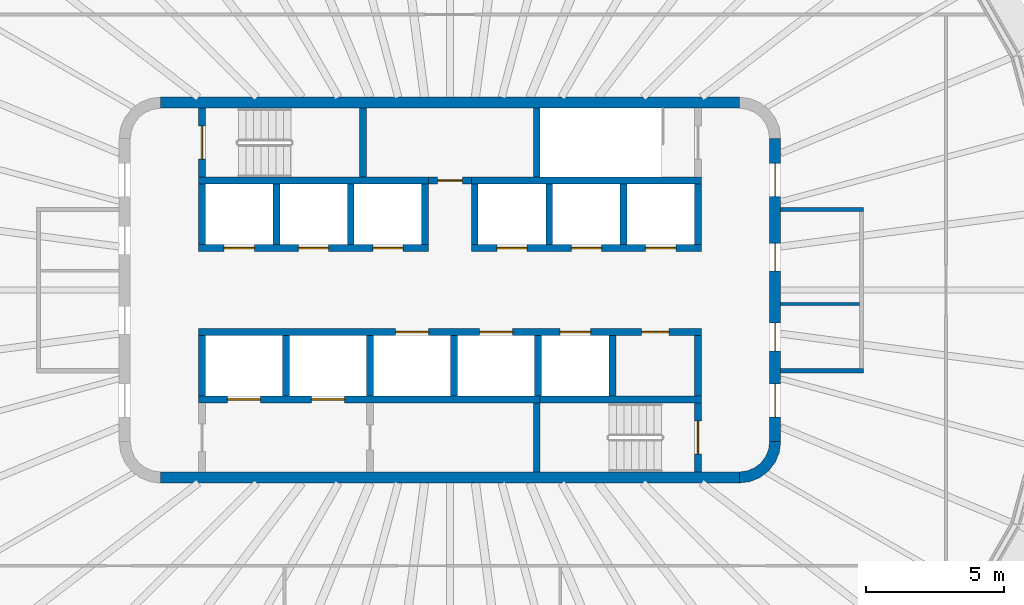
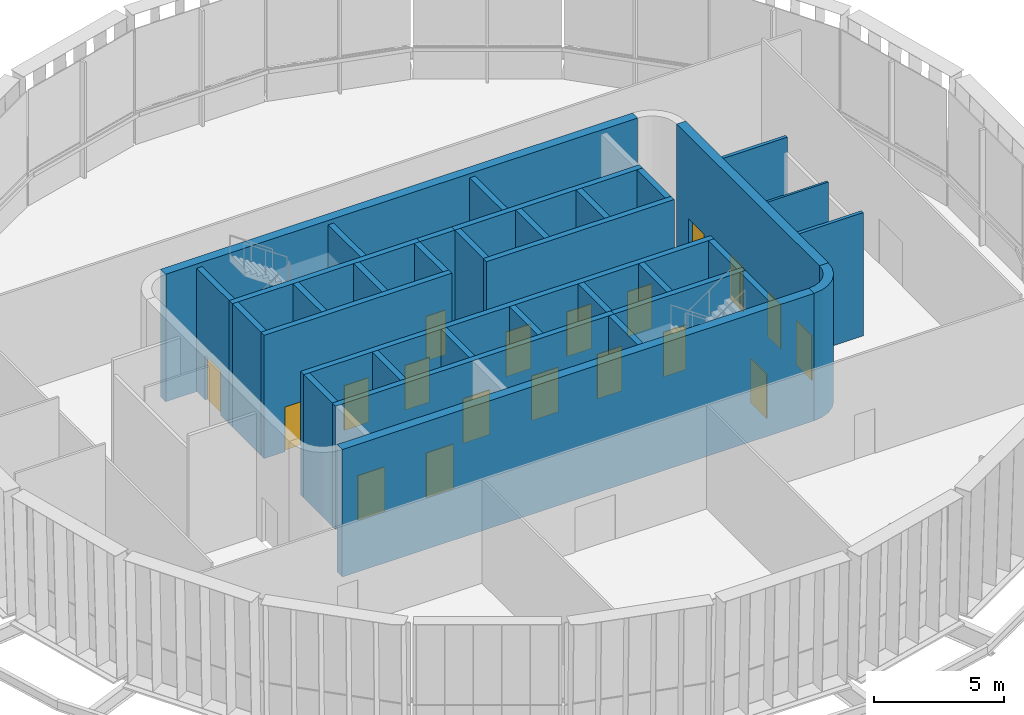
# One storey, part 7 of 14: 35 walls, 19 doors, 19 openings.
"""IFC4 building model written with IfcOpenShell, lengths in metres."""

import ifcopenshell
import ifcopenshell.guid

model = None  # the IFC model being written
_history = None  # IfcOwnerHistory: only IFC2X3 demands one
_inside = {}  # id of a spatial element -> (the spatial element, [elements in it])
_under = {}  # id of a project, library or spatial element -> (it, [spatial elements below it])
_declared = {}  # id of a project -> (the project, [libraries it declares])
_typed = {}  # id of a type object -> (the type object, [elements of that type])
_made_of = {}  # id of a material, layer set ... -> (it, [elements and type objects made of it])


def new_model(schema):
    """Start an empty IFC model of exactly this schema.

    Asked for "IFC4X3", IfcOpenShell would pick the latest addendum, in which some entities
    have other attributes; the version numbers below select the first issue.
    IFC2X3 requires an IfcOwnerHistory on every rooted entity: one is made here for all.
    """
    global model, _history
    if schema == "IFC4X3":
        model = ifcopenshell.file(schema_version=(4, 3, 0, 0))
    else:
        model = ifcopenshell.file(schema=schema)
    _inside.clear()
    _under.clear()
    _declared.clear()
    _typed.clear()
    _made_of.clear()
    _history = None
    if model.schema == "IFC2X3":
        org = make("IfcOrganization", Name="unknown")
        user = make(
            "IfcPersonAndOrganization",
            ThePerson=make("IfcPerson", FamilyName="unknown"),
            TheOrganization=org,
        )
        app = make(
            "IfcApplication",
            ApplicationDeveloper=org,
            Version="unknown",
            ApplicationFullName="unknown",
            ApplicationIdentifier="unknown",
        )
        _history = make(
            "IfcOwnerHistory",
            OwningUser=user,
            OwningApplication=app,
            ChangeAction="ADDED",
            CreationDate=0,
        )
    return model


def make(cls, **values):
    """One entity of the class cls with the attributes given. An attribute that is None is left unset."""
    return model.create_entity(
        cls, **{name: value for name, value in values.items() if value is not None}
    )


def rooted(cls, **values):
    """An entity with a GlobalId (a new one), such as an element, a storey or a relation."""
    return make(cls, GlobalId=ifcopenshell.guid.new(), OwnerHistory=_history, **values)


def si_unit(unit_type, name, prefix=None):
    """IfcSIUnit, for example si_unit("LENGTHUNIT", "METRE", prefix="MILLI")."""
    return make("IfcSIUnit", UnitType=unit_type, Prefix=prefix, Name=name)


def assignment(units):
    """IfcUnitAssignment: the units of a project."""
    return None if units is None else make("IfcUnitAssignment", Units=units)


def point(xyz):
    """IfcCartesianPoint."""
    return None if xyz is None else make("IfcCartesianPoint", Coordinates=xyz)


def direction(xyz):
    """IfcDirection."""
    return None if xyz is None else make("IfcDirection", DirectionRatios=xyz)


def frame(location, z_axis=None, x_axis=None):
    """IfcAxis2Placement3D, a coordinate frame: its origin and axes. An axis left out is left unset."""
    return make(
        "IfcAxis2Placement3D",
        Location=point(location),
        Axis=direction(z_axis),
        RefDirection=direction(x_axis),
    )


def frame_2d(location, x_axis=None):
    """IfcAxis2Placement2D, a coordinate frame in the plane: its origin and x axis."""
    return make(
        "IfcAxis2Placement2D", Location=point(location), RefDirection=direction(x_axis)
    )


def origin():
    """The frame at (0, 0, 0) with its axes left unset."""
    return frame((0.0, 0.0, 0.0))


def place(relative_to, where):
    """IfcLocalPlacement: puts the frame where relative to a parent placement (None: the world)."""
    return make(
        "IfcLocalPlacement", PlacementRelTo=relative_to, RelativePlacement=where
    )


def context(
    kind, dimensions, precision=None, world=None, true_north=None, identifier=None
):
    """IfcGeometricRepresentationContext, for example the 3D "Model" context."""
    return make(
        "IfcGeometricRepresentationContext",
        ContextIdentifier=identifier,
        ContextType=kind,
        CoordinateSpaceDimension=dimensions,
        Precision=precision,
        WorldCoordinateSystem=world,
        TrueNorth=true_north,
    )


def subcontext(parent, identifier, kind, view, scale=None):
    """IfcGeometricRepresentationSubContext, for example "Body" below "Model"."""
    return make(
        "IfcGeometricRepresentationSubContext",
        ContextIdentifier=identifier,
        ContextType=kind,
        ParentContext=parent,
        TargetScale=scale,
        TargetView=view,
    )


def project(units=None, contexts=None):
    """IfcProject with its units and contexts."""
    return rooted(
        "IfcProject",
        Name="project",
        RepresentationContexts=contexts,
        UnitsInContext=assignment(units),
    )


def spatial(cls, under=None, at=None, **own):
    """A site, building, storey or space (cls), placed at a placement, below another one or the project."""
    s = rooted(cls, ObjectPlacement=at, **own)
    if under is not None:
        _under.setdefault(under.id(), (under, []))[1].append(s)
    return s


def polyline(points):
    """IfcPolyline through the points."""
    return make("IfcPolyline", Points=[point(p) for p in points])


def profile(cls, at=None, kind="AREA", **sizes):
    """A parametric profile (cls). Its sizes go by their IFC names, for example OverallWidth=200.0."""
    return make(cls, ProfileType=kind, Position=at, **sizes)


def rectangle(**sizes):
    """IfcRectangleProfileDef."""
    return profile("IfcRectangleProfileDef", **sizes)


def outline(outer, holes=None, kind="AREA"):
    """IfcArbitraryClosedProfileDef: a profile drawn as a closed curve; with holes, ...WithVoids."""
    if holes is None:
        return make("IfcArbitraryClosedProfileDef", ProfileType=kind, OuterCurve=outer)
    return make(
        "IfcArbitraryProfileDefWithVoids",
        ProfileType=kind,
        OuterCurve=outer,
        InnerCurves=holes,
    )


def extrude(swept, where, along, depth):
    """IfcExtrudedAreaSolid: the profile swept, set in the frame where, extruded along a direction by depth."""
    return make(
        "IfcExtrudedAreaSolid",
        SweptArea=swept,
        Position=where,
        ExtrudedDirection=direction(along),
        Depth=depth,
    )


def shape(context_of_items, identifier, shape_type, items):
    """IfcShapeRepresentation: the items that make up one representation, for example the "Body"."""
    return make(
        "IfcShapeRepresentation",
        ContextOfItems=context_of_items,
        RepresentationIdentifier=identifier,
        RepresentationType=shape_type,
        Items=items,
    )


def material(Name=None, Category=None):
    """IfcMaterial."""
    return make("IfcMaterial", Name=Name, Category=Category)


def layer(
    of_material, thickness, ventilated=None, Name=None, Category=None, Priority=None
):
    """IfcMaterialLayer: one layer of a wall or slab, of a material (None: an air gap)."""
    return make(
        "IfcMaterialLayer",
        Material=of_material,
        LayerThickness=thickness,
        IsVentilated=ventilated,
        Name=Name,
        Category=Category,
        Priority=Priority,
    )


def layer_set(layers, Name=None):
    """IfcMaterialLayerSet."""
    return make("IfcMaterialLayerSet", MaterialLayers=layers, LayerSetName=Name)


def made_of(thing, what):
    """Note that an element or type object is made of a material, layer set ...; save() writes the relation."""
    if what is not None:
        _made_of.setdefault(what.id(), (what, []))[1].append(thing)
    return thing


def type_object(cls, material=None, **own):
    """A type object (cls), such as IfcWallType, which elements share."""
    return made_of(rooted(cls, **own), material)


def element(
    cls,
    number,
    at=None,
    inside=None,
    cuts=None,
    type_object=None,
    material=None,
    context=None,
    identifier="Body",
    shape_type=None,
    held_by="IfcProductDefinitionShape",
    body=None,
    shapes=None,
    **own,
):
    """One element of the class cls, such as IfcWall. Its Tag is "e" and its number.

    at: its placement. inside: the storey or other place that contains it. cuts: it is an
    opening in that element (IfcRelVoidsElement). A single representation is given by context,
    identifier, shape_type and body (its items); several are given by shapes. held_by: the class
    of the entity that holds the representations. save() writes the other relations.
    """
    e = rooted(cls, Tag="e%d" % number, ObjectPlacement=at, **own)
    if body is not None:
        shapes = [shape(context, identifier, shape_type, body)]
    if shapes is not None:
        e.Representation = make(held_by, Representations=shapes)
    if inside is not None:
        _inside.setdefault(inside.id(), (inside, []))[1].append(e)
    if cuts is not None:
        rooted(
            "IfcRelVoidsElement", RelatingBuildingElement=cuts, RelatedOpeningElement=e
        )
    if type_object is not None:
        _typed.setdefault(type_object.id(), (type_object, []))[1].append(e)
    return made_of(e, material)


def fill(opening, filler):
    """IfcRelFillsElement: the door or window that sits in an opening."""
    return rooted(
        "IfcRelFillsElement",
        RelatingOpeningElement=opening,
        RelatedBuildingElement=filler,
    )


def aggregate(whole, parts):
    """IfcRelAggregates: a whole, such as a stair, and the parts it consists of."""
    return rooted("IfcRelAggregates", RelatingObject=whole, RelatedObjects=parts)


def save(model, path):
    """Write the relations noted so far, then the file.

    IfcRelAggregates (storeys below a building ...), IfcRelContainedInSpatialStructure (elements
    in a storey), IfcRelDefinesByType, IfcRelAssociatesMaterial and IfcRelDeclares: one each for
    every whole, place, type object, material and project.
    """
    for whole, parts in _under.values():
        aggregate(whole, parts)
    for where, things in _inside.values():
        rooted(
            "IfcRelContainedInSpatialStructure",
            RelatedElements=things,
            RelatingStructure=where,
        )
    for kind, things in _typed.values():
        rooted("IfcRelDefinesByType", RelatedObjects=things, RelatingType=kind)
    for what, things in _made_of.values():
        rooted("IfcRelAssociatesMaterial", RelatedObjects=things, RelatingMaterial=what)
    for by, libraries in _declared.values():
        rooted("IfcRelDeclares", RelatingContext=by, RelatedDefinitions=libraries)
    model.write(path)


model = new_model("IFC4")

# Units and contexts
model_context = context("Model", 3, precision=1e-05, world=origin(), true_north=direction((0.0, 1.0)))
body_context = subcontext(model_context, "Body", "Model", "MODEL_VIEW")
ifc_project = project(units=[si_unit("LENGTHUNIT", "METRE"), si_unit("AREAUNIT", "SQUARE_METRE"), si_unit("VOLUMEUNIT", "CUBIC_METRE"), si_unit("PLANEANGLEUNIT", "RADIAN"), si_unit("MASSUNIT", "GRAM", prefix="KILO")], contexts=[model_context])

# Site, building, storey
site_placement = place(None, origin())
site = spatial("IfcSite", under=ifc_project, at=site_placement, CompositionType="ELEMENT")
building_placement = place(site_placement, origin())
building = spatial("IfcBuilding", under=site, at=building_placement, Name="Sahrelin Media Tower", CompositionType="ELEMENT")
storey_placement = place(building_placement, frame((0.0, 0.0, 329.800048828125)))
storey = spatial("IfcBuildingStorey", under=building, at=storey_placement, Name="L73", CompositionType="ELEMENT", Elevation=329.800048828125)

# Walls
ifc_material_1 = material(Name="Concrete C60/75", Category="concrete")
ifc_layer_1 = layer(ifc_material_1, 0.39990234375)
ifc_layer_set_1 = layer_set([ifc_layer_1], Name="Core wall 400")
wall_type_1 = type_object("IfcWallType", Name="Core wall 400", PredefinedType="SHEAR", material=ifc_layer_set_1)
for number, where, z_axis, x_axis, name in (
    (1, (-10.5, 6.800048828125, 0.0), (0.0, 0.0, 1.0), (1.0, 0.0, 0.0), "Core wall N L73"),
    (2, (-10.5, -6.800048828125, 0.0), (0.0, 0.0, 1.0), (1.0, 0.0, 0.0), "Core wall S L73"),
):
    element("IfcWall", number, at=place(storey_placement, frame(where, z_axis=z_axis, x_axis=x_axis)), inside=storey, type_object=wall_type_1, Name=name, PredefinedType="SHEAR", context=body_context, shape_type="SweptSolid", body=[
        extrude(rectangle(XDim=21.0, YDim=0.39990234375, at=frame_2d((10.5, 0.0))), origin(), (0.0, 0.0, 1.0), 6.0),
    ])

# Wall, openings, doors
wall_1_placement = place(storey_placement, frame((11.800048828125, -5.5, 0.0), z_axis=(0.0, 0.0, 1.0), x_axis=(0.0, 1.0, 0.0)))
wall_1 = element("IfcWall", 3, at=wall_1_placement, inside=storey, type_object=wall_type_1, Name="Core wall E L73", PredefinedType="SHEAR", context=body_context, shape_type="SweptSolid", body=[
    extrude(rectangle(XDim=11.0, YDim=0.39990234375, at=frame_2d((5.5, 0.0))), origin(), (0.0, 0.0, 1.0), 6.0),
])
opening_1_placement = place(wall_1_placement, frame((3.300048828125, 0.0, 0.0)))
opening_1 = element("IfcOpeningElement", 4, at=opening_1_placement, cuts=wall_1, Name="Opening L73-D10", PredefinedType="OPENING", context=body_context, shape_type="SweptSolid", body=[
    extrude(rectangle(XDim=1.0, YDim=2.10009765625, at=frame_2d((0.5, 1.050048828125))), frame((0.0, 0.199951171875, 0.0), z_axis=(0.0, -1.0, 0.0), x_axis=(1.0, 0.0, 0.0)), (0.0, 0.0, 1.0), 0.39990234375),
])
opening_2_placement = place(wall_1_placement, frame((6.199951171875, 0.0, 0.0)))
opening_2 = element("IfcOpeningElement", 5, at=opening_2_placement, cuts=wall_1, Name="Opening L73-D11", PredefinedType="OPENING", context=body_context, shape_type="SweptSolid", body=[
    extrude(rectangle(XDim=1.0, YDim=2.10009765625, at=frame_2d((0.5, 1.050048828125))), frame((0.0, 0.199951171875, 0.0), z_axis=(0.0, -1.0, 0.0), x_axis=(1.0, 0.0, 0.0)), (0.0, 0.0, 1.0), 0.39990234375),
])
opening_3_placement = place(wall_1_placement, frame((0.89990234375, 0.0, 0.0)))
opening_3 = element("IfcOpeningElement", 6, at=opening_3_placement, cuts=wall_1, Name="Opening L73-D14", PredefinedType="OPENING", context=body_context, shape_type="SweptSolid", body=[
    extrude(rectangle(XDim=1.199951171875, YDim=2.10009765625, at=frame_2d((0.60009765625, 1.050048828125))), frame((0.0, 0.199951171875, 0.0), z_axis=(0.0, -1.0, 0.0), x_axis=(1.0, 0.0, 0.0)), (0.0, 0.0, 1.0), 0.39990234375),
])
opening_4_placement = place(wall_1_placement, frame((8.89990234375, 0.0, 0.0)))
opening_4 = element("IfcOpeningElement", 7, at=opening_4_placement, cuts=wall_1, Name="Opening L73-D15", PredefinedType="OPENING", context=body_context, shape_type="SweptSolid", body=[
    extrude(rectangle(XDim=1.199951171875, YDim=2.10009765625, at=frame_2d((0.60009765625, 1.050048828125))), frame((0.0, 0.199951171875, 0.0), z_axis=(0.0, -1.0, 0.0), x_axis=(1.0, 0.0, 0.0)), (0.0, 0.0, 1.0), 0.39990234375),
])
ifc_material_2 = material(Name="Steel fire door leaf", Category="steel")
door_type_1 = type_object("IfcDoorType", Name="Fire door 1000 x 2100 EI 60", OperationType="NOTDEFINED", PredefinedType="DOOR", material=ifc_material_2)
door_1_placement = place(opening_1_placement, origin())
door_1 = element("IfcDoor", 8, at=door_1_placement, inside=storey, type_object=door_type_1, Name="Core room door", OperationType="SINGLE_SWING_RIGHT", OverallHeight=2.10009765625, OverallWidth=1.0, PredefinedType="DOOR", context=body_context, shape_type="SweptSolid", body=[
    extrude(rectangle(XDim=1.0, YDim=2.10009765625, at=frame_2d((0.5, 1.050048828125))), frame((0.0, 0.02490234375, 0.0), z_axis=(0.0, -1.0, 0.0), x_axis=(1.0, 0.0, 0.0)), (0.0, 0.0, 1.0), 0.050048828125),
])
fill(opening_1, door_1)
door_2_placement = place(opening_2_placement, origin())
door_2 = element("IfcDoor", 9, at=door_2_placement, inside=storey, type_object=door_type_1, Name="Core room door", OperationType="SINGLE_SWING_RIGHT", OverallHeight=2.10009765625, OverallWidth=1.0, PredefinedType="DOOR", context=body_context, shape_type="SweptSolid", body=[
    extrude(rectangle(XDim=1.0, YDim=2.10009765625, at=frame_2d((0.5, 1.050048828125))), frame((0.0, 0.02490234375, 0.0), z_axis=(0.0, -1.0, 0.0), x_axis=(1.0, 0.0, 0.0)), (0.0, 0.0, 1.0), 0.050048828125),
])
fill(opening_2, door_2)
door_type_2 = type_object("IfcDoorType", Name="Lobby door 1200 x 2100 EI 60", OperationType="NOTDEFINED", PredefinedType="DOOR", material=ifc_material_2)
door_3_placement = place(opening_3_placement, origin())
door_3 = element("IfcDoor", 10, at=door_3_placement, inside=storey, type_object=door_type_2, Name="Lobby door", OperationType="SINGLE_SWING_LEFT", OverallHeight=2.10009765625, OverallWidth=1.199951171875, PredefinedType="DOOR", context=body_context, shape_type="SweptSolid", body=[
    extrude(rectangle(XDim=1.199951171875, YDim=2.10009765625, at=frame_2d((0.60009765625, 1.050048828125))), frame((0.0, 0.02490234375, 0.0), z_axis=(0.0, -1.0, 0.0), x_axis=(1.0, 0.0, 0.0)), (0.0, 0.0, 1.0), 0.050048828125),
])
fill(opening_3, door_3)
door_4_placement = place(opening_4_placement, origin())
door_4 = element("IfcDoor", 11, at=door_4_placement, inside=storey, type_object=door_type_2, Name="Lobby door", OperationType="SINGLE_SWING_LEFT", OverallHeight=2.10009765625, OverallWidth=1.199951171875, PredefinedType="DOOR", context=body_context, shape_type="SweptSolid", body=[
    extrude(rectangle(XDim=1.199951171875, YDim=2.10009765625, at=frame_2d((0.60009765625, 1.050048828125))), frame((0.0, 0.02490234375, 0.0), z_axis=(0.0, -1.0, 0.0), x_axis=(1.0, 0.0, 0.0)), (0.0, 0.0, 1.0), 0.050048828125),
])
fill(opening_4, door_4)

# Wall
wall_2_placement = place(storey_placement, origin())
element("IfcWall", 12, at=wall_2_placement, inside=storey, type_object=wall_type_1, Name="Core wall corner SE L73", PredefinedType="SHEAR", context=body_context, shape_type="SweptSolid", body=[
    extrude(outline(polyline([(12.0, -5.5), (11.596435546875, -5.5), (11.55908203125, -5.78369140625), (11.44970703125, -6.04833984375), (11.275390625, -6.275390625), (11.04833984375, -6.44970703125), (10.78369140625, -6.55908203125), (10.5, -6.596435546875), (10.5, -7.0), (10.88818359375, -6.948974609375), (11.25, -6.799072265625), (11.560791015625, -6.560791015625), (11.799072265625, -6.25), (11.948974609375, -5.88818359375), (12.0, -5.5)])), origin(), (0.0, 0.0, 1.0), 6.0),
])

# Wall, opening, door
ifc_material_3 = material(Name="Fire-rated gypsum board partition")
ifc_layer_2 = layer(ifc_material_3, 0.25)
ifc_layer_set_2 = layer_set([ifc_layer_2], Name="Fire-rated lobby wall 250")
wall_type_2 = type_object("IfcWallType", Name="Fire-rated lobby wall 250", PredefinedType="PARTITIONING", material=ifc_layer_set_2)
wall_3_placement = place(storey_placement, frame((-0.77490234375, 3.97509765625, 0.0), z_axis=(0.0, 0.0, 1.0), x_axis=(1.0, 0.0, 0.0)))
wall_3 = element("IfcWall", 13, at=wall_3_placement, inside=storey, type_object=wall_type_2, Name="Core lobby wall", PredefinedType="PARTITIONING", context=body_context, shape_type="SweptSolid", body=[
    extrude(rectangle(XDim=1.5498046875, YDim=0.25, at=frame_2d((0.77490234375, 0.0))), origin(), (0.0, 0.0, 1.0), 5.800048828125),
])
opening_5_placement = place(wall_3_placement, frame((0.324951171875, 0.0, 0.0)))
opening_5 = element("IfcOpeningElement", 14, at=opening_5_placement, cuts=wall_3, Name="Opening L73-D06", PredefinedType="OPENING", context=body_context, shape_type="SweptSolid", body=[
    extrude(rectangle(XDim=0.89990234375, YDim=2.10009765625, at=frame_2d((0.449951171875, 1.050048828125))), frame((0.0, 0.125, 0.0), z_axis=(0.0, -1.0, 0.0), x_axis=(1.0, 0.0, 0.0)), (0.0, 0.0, 1.0), 0.25),
])
door_type_3 = type_object("IfcDoorType", Name="Riser door 900 x 2100 EI 120", OperationType="NOTDEFINED", PredefinedType="DOOR", material=ifc_material_2)
door_5_placement = place(opening_5_placement, origin())
door_5 = element("IfcDoor", 15, at=door_5_placement, inside=storey, type_object=door_type_3, Name="Core room door", OperationType="SINGLE_SWING_LEFT", OverallHeight=2.10009765625, OverallWidth=0.89990234375, PredefinedType="DOOR", context=body_context, shape_type="SweptSolid", body=[
    extrude(rectangle(XDim=0.89990234375, YDim=2.10009765625, at=frame_2d((0.449951171875, 1.050048828125))), frame((0.0, 0.02490234375, 0.0), z_axis=(0.0, -1.0, 0.0), x_axis=(1.0, 0.0, 0.0)), (0.0, 0.0, 1.0), 0.050048828125),
])
fill(opening_5, door_5)

# Walls
ifc_layer_3 = layer(ifc_material_3, 0.10009765625)
ifc_layer_set_3 = layer_set([ifc_layer_3], Name="Fire-rated partition 100")
wall_type_3 = type_object("IfcWallType", Name="Fire-rated partition 100", PredefinedType="PARTITIONING", material=ifc_layer_set_3)
wall_4_placement = place(storey_placement, frame((12.0, -0.5, 0.0), z_axis=(0.0, 0.0, 1.0), x_axis=(1.0, 0.0, 0.0)))
element("IfcWall", 16, at=wall_4_placement, inside=storey, type_object=wall_type_3, Name="Core room partition", PredefinedType="PARTITIONING", context=body_context, shape_type="SweptSolid", body=[
    extrude(rectangle(XDim=2.85009765625, YDim=0.10009765625, at=frame_2d((1.425048828125, 0.0))), origin(), (0.0, 0.0, 1.0), 5.800048828125),
])
ifc_layer_4 = layer(ifc_material_3, 0.14990234375)
ifc_layer_set_4 = layer_set([ifc_layer_4], Name="Fire-rated partition 150")
wall_type_4 = type_object("IfcWallType", Name="Fire-rated partition 150", PredefinedType="PARTITIONING", material=ifc_layer_set_4)
for number, where, z_axis, x_axis, name in (
    (17, (12.0, 2.925048828125, 0.0), (0.0, 0.0, 1.0), (1.0, 0.0, 0.0), "Core room fire partition"),
    (18, (12.0, -2.925048828125, 0.0), (0.0, 0.0, 1.0), (1.0, 0.0, 0.0), "Core room fire partition"),
):
    element("IfcWall", number, at=place(storey_placement, frame(where, z_axis=z_axis, x_axis=x_axis)), inside=storey, type_object=wall_type_4, Name=name, PredefinedType="PARTITIONING", context=body_context, shape_type="SweptSolid", body=[
        extrude(rectangle(XDim=3.0, YDim=0.14990234375, at=frame_2d((1.5, 0.0))), origin(), (0.0, 0.0, 1.0), 5.800048828125),
    ])

# Wall, openings, doors
ifc_layer_5 = layer(ifc_material_1, 0.25)
ifc_layer_set_5 = layer_set([ifc_layer_5], Name="Lift shaft wall 250")
wall_type_5 = type_object("IfcWallType", Name="Lift shaft wall 250", PredefinedType="SOLIDWALL", material=ifc_layer_set_5)
wall_5_placement = place(storey_placement, frame((-9.125, 1.52490234375, 0.0), z_axis=(0.0, 0.0, 1.0), x_axis=(1.0, 0.0, 0.0)))
wall_5 = element("IfcWall", 19, at=wall_5_placement, inside=storey, type_object=wall_type_5, Name="Lift shaft wall", PredefinedType="SOLIDWALL", context=body_context, shape_type="SweptSolid", body=[
    extrude(rectangle(XDim=8.35009765625, YDim=0.25, at=frame_2d((4.175048828125, 0.0))), origin(), (0.0, 0.0, 1.0), 5.800048828125),
])
opening_6_placement = place(wall_5_placement, frame((0.925048828125, 0.0, 0.0)))
opening_6 = element("IfcOpeningElement", 20, at=opening_6_placement, cuts=wall_5, Name="Opening L73-LD-HR1", PredefinedType="OPENING", context=body_context, shape_type="SweptSolid", body=[
    extrude(rectangle(XDim=1.10009765625, YDim=2.10009765625, at=frame_2d((0.550048828125, 1.050048828125))), frame((0.0, 0.125, 0.0), z_axis=(0.0, -1.0, 0.0), x_axis=(1.0, 0.0, 0.0)), (0.0, 0.0, 1.0), 0.25),
])
opening_7_placement = place(wall_5_placement, frame((3.625, 0.0, 0.0)))
opening_7 = element("IfcOpeningElement", 21, at=opening_7_placement, cuts=wall_5, Name="Opening L73-LD-HR2", PredefinedType="OPENING", context=body_context, shape_type="SweptSolid", body=[
    extrude(rectangle(XDim=1.10009765625, YDim=2.10009765625, at=frame_2d((0.550048828125, 1.050048828125))), frame((0.0, 0.125, 0.0), z_axis=(0.0, -1.0, 0.0), x_axis=(1.0, 0.0, 0.0)), (0.0, 0.0, 1.0), 0.25),
])
opening_8_placement = place(wall_5_placement, frame((6.324951171875, 0.0, 0.0)))
opening_8 = element("IfcOpeningElement", 22, at=opening_8_placement, cuts=wall_5, Name="Opening L73-LD-HR3", PredefinedType="OPENING", context=body_context, shape_type="SweptSolid", body=[
    extrude(rectangle(XDim=1.10009765625, YDim=2.10009765625, at=frame_2d((0.550048828125, 1.050048828125))), frame((0.0, 0.125, 0.0), z_axis=(0.0, -1.0, 0.0), x_axis=(1.0, 0.0, 0.0)), (0.0, 0.0, 1.0), 0.25),
])
ifc_material_4 = material(Name="Stainless steel", Category="steel")
door_type_4 = type_object("IfcDoorType", Name="Lift landing door 1100 x 2100 EI 120", OperationType="DOUBLE_DOOR_SLIDING", PredefinedType="DOOR", material=ifc_material_4)
door_6_placement = place(opening_6_placement, origin())
door_6 = element("IfcDoor", 23, at=door_6_placement, inside=storey, type_object=door_type_4, Name="Lift landing door HR1", OperationType="DOUBLE_DOOR_SLIDING", OverallHeight=2.10009765625, OverallWidth=1.10009765625, PredefinedType="DOOR", context=body_context, shape_type="SweptSolid", body=[
    extrude(rectangle(XDim=1.10009765625, YDim=2.10009765625, at=frame_2d((0.550048828125, 1.050048828125))), frame((0.0, 0.02490234375, 0.0), z_axis=(0.0, -1.0, 0.0), x_axis=(1.0, 0.0, 0.0)), (0.0, 0.0, 1.0), 0.050048828125),
])
fill(opening_6, door_6)
door_7_placement = place(opening_7_placement, origin())
door_7 = element("IfcDoor", 24, at=door_7_placement, inside=storey, type_object=door_type_4, Name="Lift landing door HR2", OperationType="DOUBLE_DOOR_SLIDING", OverallHeight=2.10009765625, OverallWidth=1.10009765625, PredefinedType="DOOR", context=body_context, shape_type="SweptSolid", body=[
    extrude(rectangle(XDim=1.10009765625, YDim=2.10009765625, at=frame_2d((0.550048828125, 1.050048828125))), frame((0.0, 0.02490234375, 0.0), z_axis=(0.0, -1.0, 0.0), x_axis=(1.0, 0.0, 0.0)), (0.0, 0.0, 1.0), 0.050048828125),
])
fill(opening_7, door_7)
door_8_placement = place(opening_8_placement, origin())
door_8 = element("IfcDoor", 25, at=door_8_placement, inside=storey, type_object=door_type_4, Name="Lift landing door HR3", OperationType="DOUBLE_DOOR_SLIDING", OverallHeight=2.10009765625, OverallWidth=1.10009765625, PredefinedType="DOOR", context=body_context, shape_type="SweptSolid", body=[
    extrude(rectangle(XDim=1.10009765625, YDim=2.10009765625, at=frame_2d((0.550048828125, 1.050048828125))), frame((0.0, 0.02490234375, 0.0), z_axis=(0.0, -1.0, 0.0), x_axis=(1.0, 0.0, 0.0)), (0.0, 0.0, 1.0), 0.050048828125),
])
fill(opening_8, door_8)

wall_6_placement = place(storey_placement, frame((0.77490234375, 1.52490234375, 0.0), z_axis=(0.0, 0.0, 1.0), x_axis=(1.0, 0.0, 0.0)))
wall_6 = element("IfcWall", 26, at=wall_6_placement, inside=storey, type_object=wall_type_5, Name="Lift shaft wall", PredefinedType="SOLIDWALL", context=body_context, shape_type="SweptSolid", body=[
    extrude(rectangle(XDim=8.35009765625, YDim=0.25, at=frame_2d((4.175048828125, 0.0))), origin(), (0.0, 0.0, 1.0), 5.800048828125),
])
opening_9_placement = place(wall_6_placement, frame((0.925048828125, 0.0, 0.0)))
opening_9 = element("IfcOpeningElement", 27, at=opening_9_placement, cuts=wall_6, Name="Opening L73-LD-HR4", PredefinedType="OPENING", context=body_context, shape_type="SweptSolid", body=[
    extrude(rectangle(XDim=1.10009765625, YDim=2.10009765625, at=frame_2d((0.550048828125, 1.050048828125))), frame((0.0, 0.125, 0.0), z_axis=(0.0, -1.0, 0.0), x_axis=(1.0, 0.0, 0.0)), (0.0, 0.0, 1.0), 0.25),
])
opening_10_placement = place(wall_6_placement, frame((3.625, 0.0, 0.0)))
opening_10 = element("IfcOpeningElement", 28, at=opening_10_placement, cuts=wall_6, Name="Opening L73-LD-HR5", PredefinedType="OPENING", context=body_context, shape_type="SweptSolid", body=[
    extrude(rectangle(XDim=1.10009765625, YDim=2.10009765625, at=frame_2d((0.550048828125, 1.050048828125))), frame((0.0, 0.125, 0.0), z_axis=(0.0, -1.0, 0.0), x_axis=(1.0, 0.0, 0.0)), (0.0, 0.0, 1.0), 0.25),
])
opening_11_placement = place(wall_6_placement, frame((6.324951171875, 0.0, 0.0)))
opening_11 = element("IfcOpeningElement", 29, at=opening_11_placement, cuts=wall_6, Name="Opening L73-LD-HR6", PredefinedType="OPENING", context=body_context, shape_type="SweptSolid", body=[
    extrude(rectangle(XDim=1.10009765625, YDim=2.10009765625, at=frame_2d((0.550048828125, 1.050048828125))), frame((0.0, 0.125, 0.0), z_axis=(0.0, -1.0, 0.0), x_axis=(1.0, 0.0, 0.0)), (0.0, 0.0, 1.0), 0.25),
])
door_9_placement = place(opening_9_placement, origin())
door_9 = element("IfcDoor", 30, at=door_9_placement, inside=storey, type_object=door_type_4, Name="Lift landing door HR4", OperationType="DOUBLE_DOOR_SLIDING", OverallHeight=2.10009765625, OverallWidth=1.10009765625, PredefinedType="DOOR", context=body_context, shape_type="SweptSolid", body=[
    extrude(rectangle(XDim=1.10009765625, YDim=2.10009765625, at=frame_2d((0.550048828125, 1.050048828125))), frame((0.0, 0.02490234375, 0.0), z_axis=(0.0, -1.0, 0.0), x_axis=(1.0, 0.0, 0.0)), (0.0, 0.0, 1.0), 0.050048828125),
])
fill(opening_9, door_9)
door_10_placement = place(opening_10_placement, origin())
door_10 = element("IfcDoor", 31, at=door_10_placement, inside=storey, type_object=door_type_4, Name="Lift landing door HR5", OperationType="DOUBLE_DOOR_SLIDING", OverallHeight=2.10009765625, OverallWidth=1.10009765625, PredefinedType="DOOR", context=body_context, shape_type="SweptSolid", body=[
    extrude(rectangle(XDim=1.10009765625, YDim=2.10009765625, at=frame_2d((0.550048828125, 1.050048828125))), frame((0.0, 0.02490234375, 0.0), z_axis=(0.0, -1.0, 0.0), x_axis=(1.0, 0.0, 0.0)), (0.0, 0.0, 1.0), 0.050048828125),
])
fill(opening_10, door_10)
door_11_placement = place(opening_11_placement, origin())
door_11 = element("IfcDoor", 32, at=door_11_placement, inside=storey, type_object=door_type_4, Name="Lift landing door HR6", OperationType="DOUBLE_DOOR_SLIDING", OverallHeight=2.10009765625, OverallWidth=1.10009765625, PredefinedType="DOOR", context=body_context, shape_type="SweptSolid", body=[
    extrude(rectangle(XDim=1.10009765625, YDim=2.10009765625, at=frame_2d((0.550048828125, 1.050048828125))), frame((0.0, 0.02490234375, 0.0), z_axis=(0.0, -1.0, 0.0), x_axis=(1.0, 0.0, 0.0)), (0.0, 0.0, 1.0), 0.050048828125),
])
fill(opening_11, door_11)

# Walls
for number, where, z_axis, x_axis, name in (
    (33, (-9.125, 3.97509765625, 0.0), (0.0, 0.0, 1.0), (1.0, 0.0, 0.0), "Lift shaft wall"),
    (34, (0.77490234375, 3.97509765625, 0.0), (0.0, 0.0, 1.0), (1.0, 0.0, 0.0), "Lift shaft wall"),
):
    element("IfcWall", number, at=place(storey_placement, frame(where, z_axis=z_axis, x_axis=x_axis)), inside=storey, type_object=wall_type_5, Name=name, PredefinedType="SOLIDWALL", context=body_context, shape_type="SweptSolid", body=[
        extrude(rectangle(XDim=8.35009765625, YDim=0.25, at=frame_2d((4.175048828125, 0.0))), origin(), (0.0, 0.0, 1.0), 5.800048828125),
    ])
for number, where, z_axis, x_axis, name in (
    (35, (-9.0, 1.64990234375, 0.0), (0.0, 0.0, 1.0), (0.0, 1.0, 0.0), "Lift shaft wall"),
    (36, (9.0, 1.64990234375, 0.0), (0.0, 0.0, 1.0), (0.0, 1.0, 0.0), "Lift shaft wall"),
    (37, (-6.300048828125, 1.64990234375, 0.0), (0.0, 0.0, 1.0), (0.0, 1.0, 0.0), "Lift shaft wall"),
    (38, (6.300048828125, 1.64990234375, 0.0), (0.0, 0.0, 1.0), (0.0, 1.0, 0.0), "Lift shaft wall"),
    (39, (-3.60009765625, 1.64990234375, 0.0), (0.0, 0.0, 1.0), (0.0, 1.0, 0.0), "Lift shaft wall"),
    (40, (3.60009765625, 1.64990234375, 0.0), (0.0, 0.0, 1.0), (0.0, 1.0, 0.0), "Lift shaft wall"),
    (41, (-0.89990234375, 1.64990234375, 0.0), (0.0, 0.0, 1.0), (0.0, 1.0, 0.0), "Lift shaft wall"),
    (42, (0.89990234375, 1.64990234375, 0.0), (0.0, 0.0, 1.0), (0.0, 1.0, 0.0), "Lift shaft wall"),
):
    element("IfcWall", number, at=place(storey_placement, frame(where, z_axis=z_axis, x_axis=x_axis)), inside=storey, type_object=wall_type_5, Name=name, PredefinedType="SOLIDWALL", context=body_context, shape_type="SweptSolid", body=[
        extrude(rectangle(XDim=2.2001953125, YDim=0.25, at=frame_2d((1.10009765625, 0.0))), origin(), (0.0, 0.0, 1.0), 5.800048828125),
    ])

# Wall, openings, doors
wall_7_placement = place(storey_placement, frame((-9.125, -1.52490234375, 0.0), z_axis=(0.0, 0.0, 1.0), x_axis=(1.0, 0.0, 0.0)))
wall_7 = element("IfcWall", 43, at=wall_7_placement, inside=storey, type_object=wall_type_5, Name="Lift shaft wall", PredefinedType="SOLIDWALL", context=body_context, shape_type="SweptSolid", body=[
    extrude(rectangle(XDim=18.25, YDim=0.25, at=frame_2d((9.125, 0.0))), origin(), (0.0, 0.0, 1.0), 5.800048828125),
])
opening_12_placement = place(wall_7_placement, frame((7.14990234375, 0.0, 0.0)))
opening_12 = element("IfcOpeningElement", 44, at=opening_12_placement, cuts=wall_7, Name="Opening L73-LD-SV1", PredefinedType="OPENING", context=body_context, shape_type="SweptSolid", body=[
    extrude(rectangle(XDim=1.199951171875, YDim=2.10009765625, at=frame_2d((0.60009765625, 1.050048828125))), frame((0.0, 0.125, 0.0), z_axis=(0.0, -1.0, 0.0), x_axis=(1.0, 0.0, 0.0)), (0.0, 0.0, 1.0), 0.25),
])
opening_13_placement = place(wall_7_placement, frame((10.199951171875, 0.0, 0.0)))
opening_13 = element("IfcOpeningElement", 45, at=opening_13_placement, cuts=wall_7, Name="Opening L73-LD-SV2", PredefinedType="OPENING", context=body_context, shape_type="SweptSolid", body=[
    extrude(rectangle(XDim=1.199951171875, YDim=2.10009765625, at=frame_2d((0.60009765625, 1.050048828125))), frame((0.0, 0.125, 0.0), z_axis=(0.0, -1.0, 0.0), x_axis=(1.0, 0.0, 0.0)), (0.0, 0.0, 1.0), 0.25),
])
opening_14_placement = place(wall_7_placement, frame((13.125, 0.0, 0.0)))
opening_14 = element("IfcOpeningElement", 46, at=opening_14_placement, cuts=wall_7, Name="Opening L73-LD-OB1", PredefinedType="OPENING", context=body_context, shape_type="SweptSolid", body=[
    extrude(rectangle(XDim=1.10009765625, YDim=2.10009765625, at=frame_2d((0.550048828125, 1.050048828125))), frame((0.0, 0.125, 0.0), z_axis=(0.0, -1.0, 0.0), x_axis=(1.0, 0.0, 0.0)), (0.0, 0.0, 1.0), 0.25),
])
opening_15_placement = place(wall_7_placement, frame((16.074951171875, 0.0, 0.0)))
opening_15 = element("IfcOpeningElement", 47, at=opening_15_placement, cuts=wall_7, Name="Opening L73-D07", PredefinedType="OPENING", context=body_context, shape_type="SweptSolid", body=[
    extrude(rectangle(XDim=1.0, YDim=2.10009765625, at=frame_2d((0.5, 1.050048828125))), frame((0.0, 0.125, 0.0), z_axis=(0.0, -1.0, 0.0), x_axis=(1.0, 0.0, 0.0)), (0.0, 0.0, 1.0), 0.25),
])
door_12_placement = place(opening_15_placement, origin())
door_12 = element("IfcDoor", 48, at=door_12_placement, inside=storey, type_object=door_type_1, Name="Core room door", OperationType="SINGLE_SWING_RIGHT", OverallHeight=2.10009765625, OverallWidth=1.0, PredefinedType="DOOR", context=body_context, shape_type="SweptSolid", body=[
    extrude(rectangle(XDim=1.0, YDim=2.10009765625, at=frame_2d((0.5, 1.050048828125))), frame((0.0, 0.02490234375, 0.0), z_axis=(0.0, -1.0, 0.0), x_axis=(1.0, 0.0, 0.0)), (0.0, 0.0, 1.0), 0.050048828125),
])
fill(opening_15, door_12)
door_13_placement = place(opening_14_placement, origin())
door_13 = element("IfcDoor", 49, at=door_13_placement, inside=storey, type_object=door_type_4, Name="Lift landing door OB1", OperationType="DOUBLE_DOOR_SLIDING", OverallHeight=2.10009765625, OverallWidth=1.10009765625, PredefinedType="DOOR", context=body_context, shape_type="SweptSolid", body=[
    extrude(rectangle(XDim=1.10009765625, YDim=2.10009765625, at=frame_2d((0.550048828125, 1.050048828125))), frame((0.0, 0.02490234375, 0.0), z_axis=(0.0, -1.0, 0.0), x_axis=(1.0, 0.0, 0.0)), (0.0, 0.0, 1.0), 0.050048828125),
])
fill(opening_14, door_13)
door_type_5 = type_object("IfcDoorType", Name="Lift landing door 1200 x 2100 EI 120", OperationType="DOUBLE_DOOR_SLIDING", PredefinedType="DOOR", material=ifc_material_4)
door_14_placement = place(opening_12_placement, origin())
door_14 = element("IfcDoor", 50, at=door_14_placement, inside=storey, type_object=door_type_5, Name="Lift landing door SV1", OperationType="DOUBLE_DOOR_SLIDING", OverallHeight=2.10009765625, OverallWidth=1.199951171875, PredefinedType="DOOR", context=body_context, shape_type="SweptSolid", body=[
    extrude(rectangle(XDim=1.199951171875, YDim=2.10009765625, at=frame_2d((0.60009765625, 1.050048828125))), frame((0.0, 0.02490234375, 0.0), z_axis=(0.0, -1.0, 0.0), x_axis=(1.0, 0.0, 0.0)), (0.0, 0.0, 1.0), 0.050048828125),
])
fill(opening_12, door_14)
door_15_placement = place(opening_13_placement, origin())
door_15 = element("IfcDoor", 51, at=door_15_placement, inside=storey, type_object=door_type_5, Name="Lift landing door SV2", OperationType="DOUBLE_DOOR_SLIDING", OverallHeight=2.10009765625, OverallWidth=1.199951171875, PredefinedType="DOOR", context=body_context, shape_type="SweptSolid", body=[
    extrude(rectangle(XDim=1.199951171875, YDim=2.10009765625, at=frame_2d((0.60009765625, 1.050048828125))), frame((0.0, 0.02490234375, 0.0), z_axis=(0.0, -1.0, 0.0), x_axis=(1.0, 0.0, 0.0)), (0.0, 0.0, 1.0), 0.050048828125),
])
fill(opening_13, door_15)

wall_8_placement = place(storey_placement, frame((-9.125, -3.97509765625, 0.0), z_axis=(0.0, 0.0, 1.0), x_axis=(1.0, 0.0, 0.0)))
wall_8 = element("IfcWall", 52, at=wall_8_placement, inside=storey, type_object=wall_type_5, Name="Lift shaft wall", PredefinedType="SOLIDWALL", context=body_context, shape_type="SweptSolid", body=[
    extrude(rectangle(XDim=12.39990234375, YDim=0.25, at=frame_2d((6.199951171875, 0.0))), origin(), (0.0, 0.0, 1.0), 5.800048828125),
])
opening_16_placement = place(wall_8_placement, frame((1.050048828125, 0.0, 0.0)))
opening_16 = element("IfcOpeningElement", 53, at=opening_16_placement, cuts=wall_8, Name="Opening L73-LD-FF1", PredefinedType="OPENING", context=body_context, shape_type="SweptSolid", body=[
    extrude(rectangle(XDim=1.199951171875, YDim=2.10009765625, at=frame_2d((0.60009765625, 1.050048828125))), frame((0.0, 0.125, 0.0), z_axis=(0.0, -1.0, 0.0), x_axis=(1.0, 0.0, 0.0)), (0.0, 0.0, 1.0), 0.25),
])
opening_17_placement = place(wall_8_placement, frame((4.10009765625, 0.0, 0.0)))
opening_17 = element("IfcOpeningElement", 54, at=opening_17_placement, cuts=wall_8, Name="Opening L73-LD-FF2", PredefinedType="OPENING", context=body_context, shape_type="SweptSolid", body=[
    extrude(rectangle(XDim=1.199951171875, YDim=2.10009765625, at=frame_2d((0.60009765625, 1.050048828125))), frame((0.0, 0.125, 0.0), z_axis=(0.0, -1.0, 0.0), x_axis=(1.0, 0.0, 0.0)), (0.0, 0.0, 1.0), 0.25),
])
door_16_placement = place(opening_16_placement, origin())
door_16 = element("IfcDoor", 55, at=door_16_placement, inside=storey, type_object=door_type_5, Name="Lift landing door FF1", OperationType="DOUBLE_DOOR_SLIDING", OverallHeight=2.10009765625, OverallWidth=1.199951171875, PredefinedType="DOOR", context=body_context, shape_type="SweptSolid", body=[
    extrude(rectangle(XDim=1.199951171875, YDim=2.10009765625, at=frame_2d((0.60009765625, 1.050048828125))), frame((0.0, 0.02490234375, 0.0), z_axis=(0.0, -1.0, 0.0), x_axis=(1.0, 0.0, 0.0)), (0.0, 0.0, 1.0), 0.050048828125),
])
fill(opening_16, door_16)
door_17_placement = place(opening_17_placement, origin())
door_17 = element("IfcDoor", 56, at=door_17_placement, inside=storey, type_object=door_type_5, Name="Lift landing door FF2", OperationType="DOUBLE_DOOR_SLIDING", OverallHeight=2.10009765625, OverallWidth=1.199951171875, PredefinedType="DOOR", context=body_context, shape_type="SweptSolid", body=[
    extrude(rectangle(XDim=1.199951171875, YDim=2.10009765625, at=frame_2d((0.60009765625, 1.050048828125))), frame((0.0, 0.02490234375, 0.0), z_axis=(0.0, -1.0, 0.0), x_axis=(1.0, 0.0, 0.0)), (0.0, 0.0, 1.0), 0.050048828125),
])
fill(opening_17, door_17)

# Walls
wall_9_placement = place(storey_placement, frame((3.27490234375, -3.97509765625, 0.0), z_axis=(0.0, 0.0, 1.0), x_axis=(1.0, 0.0, 0.0)))
element("IfcWall", 57, at=wall_9_placement, inside=storey, type_object=wall_type_5, Name="Lift shaft wall", PredefinedType="SOLIDWALL", context=body_context, shape_type="SweptSolid", body=[
    extrude(rectangle(XDim=5.85009765625, YDim=0.25, at=frame_2d((2.925048828125, 0.0))), origin(), (0.0, 0.0, 1.0), 5.800048828125),
])
for number, where, z_axis, x_axis, name in (
    (58, (-9.0, -3.85009765625, 0.0), (0.0, 0.0, 1.0), (0.0, 1.0, 0.0), "Lift shaft wall"),
    (59, (-5.949951171875, -3.85009765625, 0.0), (0.0, 0.0, 1.0), (0.0, 1.0, 0.0), "Lift shaft wall"),
    (60, (-2.89990234375, -3.85009765625, 0.0), (0.0, 0.0, 1.0), (0.0, 1.0, 0.0), "Lift shaft wall"),
    (61, (0.14990234375, -3.85009765625, 0.0), (0.0, 0.0, 1.0), (0.0, 1.0, 0.0), "Lift shaft wall"),
    (62, (3.199951171875, -3.85009765625, 0.0), (0.0, 0.0, 1.0), (0.0, 1.0, 0.0), "Lift shaft wall"),
    (63, (5.89990234375, -3.85009765625, 0.0), (0.0, 0.0, 1.0), (0.0, 1.0, 0.0), "Lift shaft wall"),
    (64, (9.0, -3.85009765625, 0.0), (0.0, 0.0, 1.0), (0.0, 1.0, 0.0), "Lift shaft wall"),
):
    element("IfcWall", number, at=place(storey_placement, frame(where, z_axis=z_axis, x_axis=x_axis)), inside=storey, type_object=wall_type_5, Name=name, PredefinedType="SOLIDWALL", context=body_context, shape_type="SweptSolid", body=[
        extrude(rectangle(XDim=2.2001953125, YDim=0.25, at=frame_2d((1.10009765625, 0.0))), origin(), (0.0, 0.0, 1.0), 5.800048828125),
    ])

# Wall, opening, door
ifc_layer_6 = layer(ifc_material_1, 0.25)
ifc_layer_set_6 = layer_set([ifc_layer_6], Name="Stair enclosure wall 250")
wall_type_6 = type_object("IfcWallType", Name="Stair enclosure wall 250", PredefinedType="SOLIDWALL", material=ifc_layer_set_6)
wall_10_placement = place(storey_placement, frame((-9.0, 4.10009765625, 0.0), z_axis=(0.0, 0.0, 1.0), x_axis=(0.0, 1.0, 0.0)))
wall_10 = element("IfcWall", 65, at=wall_10_placement, inside=storey, type_object=wall_type_6, Name="Stair enclosure wall", PredefinedType="SOLIDWALL", context=body_context, shape_type="SweptSolid", body=[
    extrude(rectangle(XDim=2.5, YDim=0.25, at=frame_2d((1.25, 0.0))), origin(), (0.0, 0.0, 1.0), 5.800048828125),
])
opening_18_placement = place(wall_10_placement, frame((0.64990234375, 0.0, 0.0)))
opening_18 = element("IfcOpeningElement", 66, at=opening_18_placement, cuts=wall_10, Name="Opening L73-D01", PredefinedType="OPENING", context=body_context, shape_type="SweptSolid", body=[
    extrude(rectangle(XDim=1.199951171875, YDim=2.10009765625, at=frame_2d((0.60009765625, 1.050048828125))), frame((0.0, 0.125, 0.0), z_axis=(0.0, -1.0, 0.0), x_axis=(1.0, 0.0, 0.0)), (0.0, 0.0, 1.0), 0.25),
])
door_type_6 = type_object("IfcDoorType", Name="Stair door 1200 x 2100 EI 120", OperationType="NOTDEFINED", PredefinedType="DOOR", material=ifc_material_2)
door_18_placement = place(opening_18_placement, origin())
door_18 = element("IfcDoor", 67, at=door_18_placement, inside=storey, type_object=door_type_6, Name="Stair door ST1", OperationType="SINGLE_SWING_RIGHT", OverallHeight=2.10009765625, OverallWidth=1.199951171875, PredefinedType="DOOR", context=body_context, shape_type="SweptSolid", body=[
    extrude(rectangle(XDim=1.199951171875, YDim=2.10009765625, at=frame_2d((0.60009765625, 1.050048828125))), frame((0.0, 0.02490234375, 0.0), z_axis=(0.0, -1.0, 0.0), x_axis=(1.0, 0.0, 0.0)), (0.0, 0.0, 1.0), 0.050048828125),
])
fill(opening_18, door_18)

wall_11_placement = place(storey_placement, frame((9.0, -6.60009765625, 0.0), z_axis=(0.0, 0.0, 1.0), x_axis=(0.0, 1.0, 0.0)))
wall_11 = element("IfcWall", 68, at=wall_11_placement, inside=storey, type_object=wall_type_6, Name="Stair enclosure wall", PredefinedType="SOLIDWALL", context=body_context, shape_type="SweptSolid", body=[
    extrude(rectangle(XDim=2.5, YDim=0.25, at=frame_2d((1.25, 0.0))), origin(), (0.0, 0.0, 1.0), 5.800048828125),
])
opening_19_placement = place(wall_11_placement, frame((0.64990234375, 0.0, 0.0)))
opening_19 = element("IfcOpeningElement", 69, at=opening_19_placement, cuts=wall_11, Name="Opening L73-D03", PredefinedType="OPENING", context=body_context, shape_type="SweptSolid", body=[
    extrude(rectangle(XDim=1.199951171875, YDim=2.10009765625, at=frame_2d((0.60009765625, 1.050048828125))), frame((0.0, 0.125, 0.0), z_axis=(0.0, -1.0, 0.0), x_axis=(1.0, 0.0, 0.0)), (0.0, 0.0, 1.0), 0.25),
])
door_19_placement = place(opening_19_placement, origin())
door_19 = element("IfcDoor", 70, at=door_19_placement, inside=storey, type_object=door_type_6, Name="Stair door ST2", OperationType="SINGLE_SWING_LEFT", OverallHeight=2.10009765625, OverallWidth=1.199951171875, PredefinedType="DOOR", context=body_context, shape_type="SweptSolid", body=[
    extrude(rectangle(XDim=1.199951171875, YDim=2.10009765625, at=frame_2d((0.60009765625, 1.050048828125))), frame((0.0, 0.02490234375, 0.0), z_axis=(0.0, -1.0, 0.0), x_axis=(1.0, 0.0, 0.0)), (0.0, 0.0, 1.0), 0.050048828125),
])
fill(opening_19, door_19)

# Walls
for number, where, z_axis, x_axis, name in (
    (71, (-3.14990234375, 4.10009765625, 0.0), (0.0, 0.0, 1.0), (0.0, 1.0, 0.0), "Stair enclosure wall"),
    (72, (3.14990234375, 4.10009765625, 0.0), (0.0, 0.0, 1.0), (0.0, 1.0, 0.0), "Stair enclosure wall"),
    (73, (3.14990234375, -6.60009765625, 0.0), (0.0, 0.0, 1.0), (0.0, 1.0, 0.0), "Stair enclosure wall"),
):
    element("IfcWall", number, at=place(storey_placement, frame(where, z_axis=z_axis, x_axis=x_axis)), inside=storey, type_object=wall_type_6, Name=name, PredefinedType="SOLIDWALL", context=body_context, shape_type="SweptSolid", body=[
        extrude(rectangle(XDim=2.5, YDim=0.25, at=frame_2d((1.25, 0.0))), origin(), (0.0, 0.0, 1.0), 5.800048828125),
    ])

save(model, "model.ifc")
